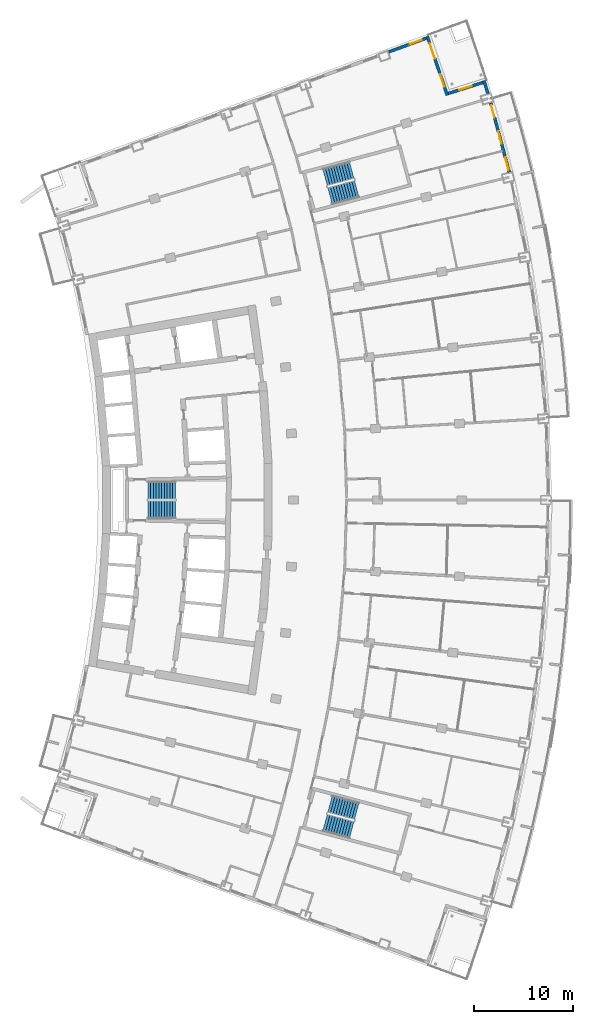
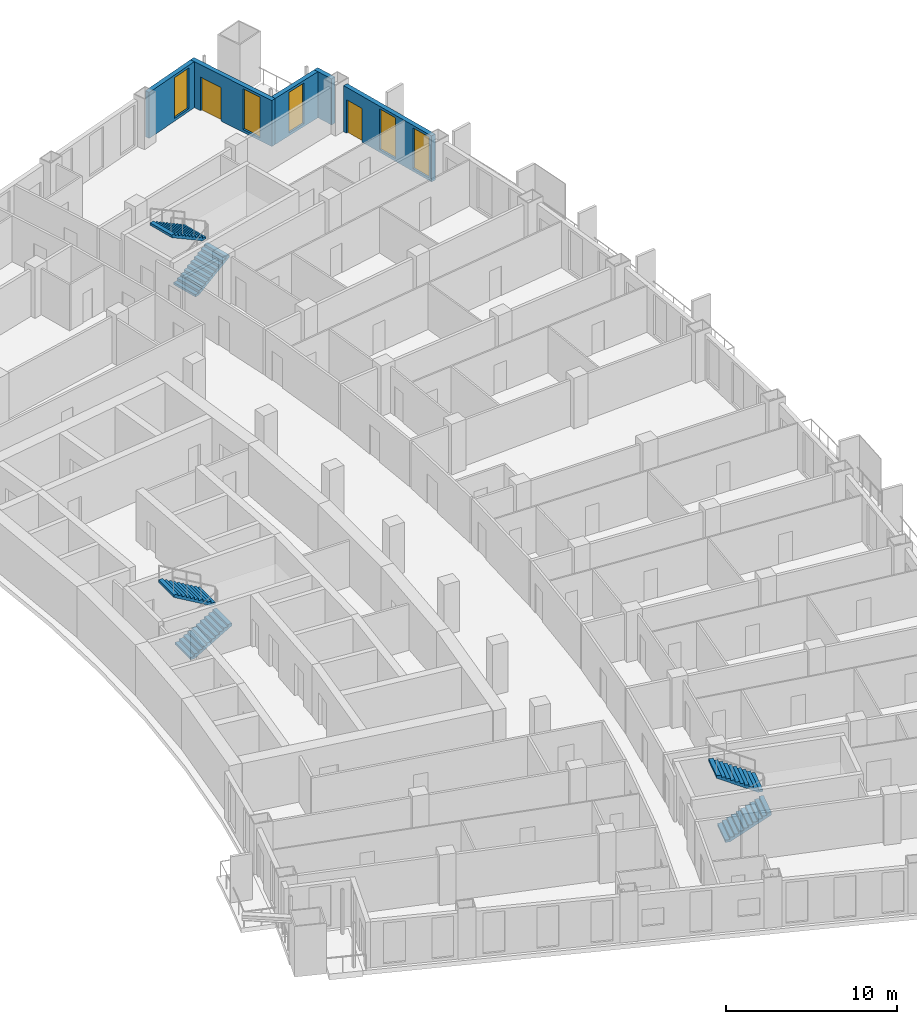
# One storey, part 21 of 24: 6 stair flights, 5 walls, 5 windows, 2 doors, 7 openings, 3 elements without a shape of their own.
"""IFC4 building model written with IfcOpenShell, lengths in metres."""

from ifc_helpers import new_model, si_unit, direction, frame, frame_2d, origin, place, context, subcontext, project, spatial, polyline, rectangle, outline, extrude, material, layer, layer_set, type_object, element, fill, aggregate, save


model = new_model("IFC4")

# Units and contexts
model_context = context("Model", 3, precision=1e-05, world=origin(), true_north=direction((0.0, 1.0)))
body_context = subcontext(model_context, "Body", "Model", "MODEL_VIEW")
ifc_project = project(units=[si_unit("LENGTHUNIT", "METRE"), si_unit("AREAUNIT", "SQUARE_METRE"), si_unit("VOLUMEUNIT", "CUBIC_METRE"), si_unit("PLANEANGLEUNIT", "RADIAN"), si_unit("MASSUNIT", "GRAM", prefix="KILO")], contexts=[model_context])

# Site, building, storey
site_placement = place(None, origin())
site = spatial("IfcSite", under=ifc_project, at=site_placement, CompositionType="ELEMENT")
building_placement = place(site_placement, origin())
building = spatial("IfcBuilding", under=site, at=building_placement, Name="Alderwake Tower", CompositionType="ELEMENT")
storey_placement = place(building_placement, frame((0.0, 0.0, 96.800048828125)))
storey = spatial("IfcBuildingStorey", under=building, at=storey_placement, Name="L23", CompositionType="ELEMENT", Elevation=96.800048828125)

# Wall, openings, door, windows
ifc_material_1 = material(Name="Precast concrete C50/60 spandrel panel", Category="concrete")
ifc_layer_1 = layer(ifc_material_1, 0.300048828125)
ifc_layer_set_1 = layer_set([ifc_layer_1], Name="External wall EW1 Precast concrete C50/60 spandrel")
wall_type_1 = type_object("IfcWallType", Name="External wall EW1 Precast concrete C50/60 spandrel", PredefinedType="SOLIDWALL", material=ifc_layer_set_1)
wall_1_placement = place(storey_placement, frame((57.681884765625, 94.234375, 0.0), z_axis=(0.0, 0.0, 1.0), x_axis=(-0.259469611771, 0.96575127262, 0.0)))
wall_1 = element("IfcWall", 1, at=wall_1_placement, inside=storey, type_object=wall_type_1, Name="External wall 21", PredefinedType="SOLIDWALL", context=body_context, shape_type="SweptSolid", body=[
    extrude(rectangle(XDim=7.263916015625, YDim=0.300048828125, at=frame_2d((3.6318359375, 0.0))), origin(), (0.0, 0.0, 1.0), 3.280029296875),
])
opening_1_placement = place(wall_1_placement, frame((0.23291015625, 0.0, 0.199951171875)))
opening_1 = element("IfcOpeningElement", 2, at=opening_1_placement, cuts=wall_1, Name="Opening W1", PredefinedType="OPENING", context=body_context, shape_type="SweptSolid", body=[
    extrude(rectangle(XDim=1.300048828125, YDim=2.89990234375, at=frame_2d((0.64990234375, 1.449951171875))), frame((0.0, 0.159912109375, 0.0), z_axis=(0.0, -1.0, 0.0), x_axis=(1.0, 0.0, 0.0)), (0.0, 0.0, 1.0), 0.320068359375),
])
opening_2_placement = place(wall_1_placement, frame((2.98193359375, 0.0, 0.199951171875)))
opening_2 = element("IfcOpeningElement", 3, at=opening_2_placement, cuts=wall_1, Name="Opening W1", PredefinedType="OPENING", context=body_context, shape_type="SweptSolid", body=[
    extrude(rectangle(XDim=1.300048828125, YDim=2.89990234375, at=frame_2d((0.64990234375, 1.449951171875))), frame((0.0, 0.159912109375, 0.0), z_axis=(0.0, -1.0, 0.0), x_axis=(1.0, 0.0, 0.0)), (0.0, 0.0, 1.0), 0.320068359375),
])
opening_3_placement = place(wall_1_placement, frame((5.73095703125, 0.0, 0.0)))
opening_3 = element("IfcOpeningElement", 4, at=opening_3_placement, cuts=wall_1, Name="Opening D11", PredefinedType="OPENING", context=body_context, shape_type="SweptSolid", body=[
    extrude(rectangle(XDim=1.300048828125, YDim=2.39990234375, at=frame_2d((0.64990234375, 1.199951171875))), frame((0.0, 0.159912109375, 0.0), z_axis=(0.0, -1.0, 0.0), x_axis=(1.0, 0.0, 0.0)), (0.0, 0.0, 1.0), 0.320068359375),
])
ifc_material_2 = material(Name="Bronze tinted glass in aluminium frame", Category="aluminium")
door_type_1 = type_object("IfcDoorType", Name="Balcony door BD sliding", OperationType="SLIDING_TO_LEFT", PredefinedType="DOOR", material=ifc_material_2)
door_1_placement = place(opening_3_placement, origin())
door_1 = element("IfcDoor", 5, at=door_1_placement, inside=storey, type_object=door_type_1, Name="Door D11", OperationType="SLIDING_TO_LEFT", OverallHeight=2.39990234375, OverallWidth=1.300048828125, PredefinedType="DOOR", context=body_context, shape_type="SweptSolid", body=[
    extrude(rectangle(XDim=1.300048828125, YDim=2.39990234375, at=frame_2d((0.64990234375, 1.199951171875))), frame((0.0, 0.02490234375, 0.0), z_axis=(0.0, -1.0, 0.0), x_axis=(1.0, 0.0, 0.0)), (0.0, 0.0, 1.0), 0.050048828125),
])
fill(opening_3, door_1)
ifc_material_3 = material(Name="Bronze tinted glass in aluminium frame", Category="aluminium")
window_type = type_object("IfcWindowType", Name="Window W1 tall fixed and vent", PartitioningType="DOUBLE_PANEL_VERTICAL", PredefinedType="WINDOW", material=ifc_material_3)
window_1_placement = place(opening_1_placement, origin())
window_1 = element("IfcWindow", 6, at=window_1_placement, inside=storey, type_object=window_type, Name="Window W1 tall fixed and vent", OverallHeight=2.89990234375, OverallWidth=1.300048828125, PartitioningType="DOUBLE_PANEL_VERTICAL", PredefinedType="WINDOW", context=body_context, shape_type="SweptSolid", body=[
    extrude(rectangle(XDim=1.300048828125, YDim=2.89990234375, at=frame_2d((0.64990234375, 1.449951171875))), frame((0.0, 0.030029296875, 0.0), z_axis=(0.0, -1.0, 0.0), x_axis=(1.0, 0.0, 0.0)), (0.0, 0.0, 1.0), 0.06005859375),
])
fill(opening_1, window_1)
window_2_placement = place(opening_2_placement, origin())
window_2 = element("IfcWindow", 7, at=window_2_placement, inside=storey, type_object=window_type, Name="Window W1 tall fixed and vent", OverallHeight=2.89990234375, OverallWidth=1.300048828125, PartitioningType="DOUBLE_PANEL_VERTICAL", PredefinedType="WINDOW", context=body_context, shape_type="SweptSolid", body=[
    extrude(rectangle(XDim=1.300048828125, YDim=2.89990234375, at=frame_2d((0.64990234375, 1.449951171875))), frame((0.0, 0.030029296875, 0.0), z_axis=(0.0, -1.0, 0.0), x_axis=(1.0, 0.0, 0.0)), (0.0, 0.0, 1.0), 0.06005859375),
])
fill(opening_2, window_2)

# Wall
wall_2_placement = place(storey_placement, frame((55.52587890625, 102.19091796875, 0.0), z_axis=(0.0, 0.0, 1.0), x_axis=(-0.294407922697, 0.955679849664, 0.0)))
element("IfcWall", 8, at=wall_2_placement, inside=storey, type_object=wall_type_1, Name="External wall 22", PredefinedType="SOLIDWALL", context=body_context, shape_type="SweptSolid", body=[
    extrude(rectangle(XDim=1.384765625, YDim=0.300048828125, at=frame_2d((0.6923828125, 0.0))), origin(), (0.0, 0.0, 1.0), 3.280029296875),
])

# Wall, opening, window
ifc_material_4 = material(Name="Bronze metal cladding on lightweight framing")
ifc_layer_2 = layer(ifc_material_4, 0.300048828125)
ifc_layer_set_2 = layer_set([ifc_layer_2], Name="External wall EW2 bronze metal cladding")
wall_type_2 = type_object("IfcWallType", Name="External wall EW2 bronze metal cladding", PredefinedType="SOLIDWALL", material=ifc_layer_set_2)
wall_3_placement = place(storey_placement, frame((55.019287109375, 103.32568359375, 0.0), z_axis=(0.0, 0.0, 1.0), x_axis=(-0.953472737628, -0.301479250697, 0.0)))
wall_3 = element("IfcWall", 9, at=wall_3_placement, inside=storey, type_object=wall_type_2, Name="External wall 23", PredefinedType="SOLIDWALL", context=body_context, shape_type="SweptSolid", body=[
    extrude(rectangle(XDim=3.6943359375, YDim=0.300048828125, at=frame_2d((1.84716796875, 0.0))), origin(), (0.0, 0.0, 1.0), 3.280029296875),
])
opening_4_placement = place(wall_3_placement, frame((1.197021484375, 0.0, 0.199951171875)))
opening_4 = element("IfcOpeningElement", 10, at=opening_4_placement, cuts=wall_3, Name="Opening W1", PredefinedType="OPENING", context=body_context, shape_type="SweptSolid", body=[
    extrude(rectangle(XDim=1.300048828125, YDim=2.89990234375, at=frame_2d((0.64990234375, 1.449951171875))), frame((0.0, 0.159912109375, 0.0), z_axis=(0.0, -1.0, 0.0), x_axis=(1.0, 0.0, 0.0)), (0.0, 0.0, 1.0), 0.320068359375),
])
window_3_placement = place(opening_4_placement, origin())
window_3 = element("IfcWindow", 11, at=window_3_placement, inside=storey, type_object=window_type, Name="Window W1 tall fixed and vent", OverallHeight=2.89990234375, OverallWidth=1.300048828125, PartitioningType="DOUBLE_PANEL_VERTICAL", PredefinedType="WINDOW", context=body_context, shape_type="SweptSolid", body=[
    extrude(rectangle(XDim=1.300048828125, YDim=2.89990234375, at=frame_2d((0.64990234375, 1.449951171875))), frame((0.0, 0.030029296875, 0.0), z_axis=(0.0, -1.0, 0.0), x_axis=(1.0, 0.0, 0.0)), (0.0, 0.0, 1.0), 0.06005859375),
])
fill(opening_4, window_3)

# Wall, openings, door, window
wall_4_placement = place(storey_placement, frame((51.402099609375, 102.024658203125, 0.0), z_axis=(0.0, 0.0, 1.0), x_axis=(-0.320927729287, 0.947103686285, 0.0)))
wall_4 = element("IfcWall", 12, at=wall_4_placement, inside=storey, type_object=wall_type_2, Name="External wall 24", PredefinedType="SOLIDWALL", context=body_context, shape_type="SweptSolid", body=[
    extrude(rectangle(XDim=6.32177734375, YDim=0.300048828125, at=frame_2d((3.160888671875, 0.0))), origin(), (0.0, 0.0, 1.0), 3.280029296875),
])
opening_5_placement = place(wall_4_placement, frame((0.930419921875, 0.0, 0.199951171875)))
opening_5 = element("IfcOpeningElement", 13, at=opening_5_placement, cuts=wall_4, Name="Opening W1", PredefinedType="OPENING", context=body_context, shape_type="SweptSolid", body=[
    extrude(rectangle(XDim=1.300048828125, YDim=2.89990234375, at=frame_2d((0.64990234375, 1.449951171875))), frame((0.0, 0.159912109375, 0.0), z_axis=(0.0, -1.0, 0.0), x_axis=(1.0, 0.0, 0.0)), (0.0, 0.0, 1.0), 0.320068359375),
])
opening_6_placement = place(wall_4_placement, frame((3.94140625, 0.0, 0.0)))
opening_6 = element("IfcOpeningElement", 14, at=opening_6_placement, cuts=wall_4, Name="Opening D12", PredefinedType="OPENING", context=body_context, shape_type="SweptSolid", body=[
    extrude(rectangle(XDim=1.60009765625, YDim=2.39990234375, at=frame_2d((0.800048828125, 1.199951171875))), frame((0.0, 0.159912109375, 0.0), z_axis=(0.0, -1.0, 0.0), x_axis=(1.0, 0.0, 0.0)), (0.0, 0.0, 1.0), 0.320068359375),
])
ifc_material_5 = material(Name="Bronze tinted glass in aluminium frame", Category="aluminium")
door_type_2 = type_object("IfcDoorType", Name="Terrace door TD sliding", OperationType="SLIDING_TO_LEFT", PredefinedType="DOOR", material=ifc_material_5)
door_2_placement = place(opening_6_placement, origin())
door_2 = element("IfcDoor", 15, at=door_2_placement, inside=storey, type_object=door_type_2, Name="Door D12", OperationType="SLIDING_TO_LEFT", OverallHeight=2.39990234375, OverallWidth=1.60009765625, PredefinedType="DOOR", context=body_context, shape_type="SweptSolid", body=[
    extrude(rectangle(XDim=1.60009765625, YDim=2.39990234375, at=frame_2d((0.800048828125, 1.199951171875))), frame((0.0, 0.02490234375, 0.0), z_axis=(0.0, -1.0, 0.0), x_axis=(1.0, 0.0, 0.0)), (0.0, 0.0, 1.0), 0.050048828125),
])
fill(opening_6, door_2)
window_4_placement = place(opening_5_placement, origin())
window_4 = element("IfcWindow", 16, at=window_4_placement, inside=storey, type_object=window_type, Name="Window W1 tall fixed and vent", OverallHeight=2.89990234375, OverallWidth=1.300048828125, PartitioningType="DOUBLE_PANEL_VERTICAL", PredefinedType="WINDOW", context=body_context, shape_type="SweptSolid", body=[
    extrude(rectangle(XDim=1.300048828125, YDim=2.89990234375, at=frame_2d((0.64990234375, 1.449951171875))), frame((0.0, 0.030029296875, 0.0), z_axis=(0.0, -1.0, 0.0), x_axis=(1.0, 0.0, 0.0)), (0.0, 0.0, 1.0), 0.06005859375),
])
fill(opening_5, window_4)

# Wall, opening, window
wall_5_placement = place(storey_placement, frame((49.280517578125, 107.818603515625, 0.0), z_axis=(0.0, 0.0, 1.0), x_axis=(-0.93936370706, -0.342922477913, 0.0)))
wall_5 = element("IfcWall", 17, at=wall_5_placement, inside=storey, type_object=wall_type_2, Name="External wall 25", PredefinedType="SOLIDWALL", context=body_context, shape_type="SweptSolid", body=[
    extrude(rectangle(XDim=4.104248046875, YDim=0.300048828125, at=frame_2d((2.05224609375, 0.0))), origin(), (0.0, 0.0, 1.0), 3.280029296875),
])
opening_7_placement = place(wall_5_placement, frame((0.5078125, 0.0, 0.199951171875)))
opening_7 = element("IfcOpeningElement", 18, at=opening_7_placement, cuts=wall_5, Name="Opening W1", PredefinedType="OPENING", context=body_context, shape_type="SweptSolid", body=[
    extrude(rectangle(XDim=1.300048828125, YDim=2.89990234375, at=frame_2d((0.64990234375, 1.449951171875))), frame((0.0, 0.159912109375, 0.0), z_axis=(0.0, -1.0, 0.0), x_axis=(1.0, 0.0, 0.0)), (0.0, 0.0, 1.0), 0.320068359375),
])
window_5_placement = place(opening_7_placement, origin())
window_5 = element("IfcWindow", 19, at=window_5_placement, inside=storey, type_object=window_type, Name="Window W1 tall fixed and vent", OverallHeight=2.89990234375, OverallWidth=1.300048828125, PartitioningType="DOUBLE_PANEL_VERTICAL", PredefinedType="WINDOW", context=body_context, shape_type="SweptSolid", body=[
    extrude(rectangle(XDim=1.300048828125, YDim=2.89990234375, at=frame_2d((0.64990234375, 1.449951171875))), frame((0.0, 0.030029296875, 0.0), z_axis=(0.0, -1.0, 0.0), x_axis=(1.0, 0.0, 0.0)), (0.0, 0.0, 1.0), 0.06005859375),
])
fill(opening_7, window_5)

# Stair, stair flights
ifc_material_6 = material(Name="Concrete C40/50", Category="concrete")
stair_type = type_object("IfcStairType", Name="Core exit stair", PredefinedType="HALF_TURN_STAIR", material=ifc_material_6)
stair_1_placement = place(storey_placement, origin())
stair_1 = element("IfcStair", 20, at=stair_1_placement, inside=storey, type_object=stair_type, Name="L23 Exit Stair B", PredefinedType="HALF_TURN_STAIR")
ifc_material_7 = material(Name="Concrete C40/50", Category="concrete")
ifc_layer_3 = layer(ifc_material_7, 0.14990234375)
ifc_layer_set_3 = layer_set([ifc_layer_3], Name="Core stair flight")
stair_flight_type = type_object("IfcStairFlightType", Name="Core stair flight", PredefinedType="STRAIGHT", material=ifc_layer_set_3)
stair_flight_1_placement = place(storey_placement, frame((21.0400390625, 60.02490234375, 0.0), z_axis=(0.0, 0.0, 1.0), x_axis=(1.0, 0.0, 0.0)))
stair_flight_1 = element("IfcStairFlight", 21, at=stair_flight_1_placement, type_object=stair_flight_type, Name="ST-B flight 1", NumberOfRisers=11, NumberOfTreads=10, PredefinedType="STRAIGHT", RiserHeight=0.163636364, TreadLength=0.28, context=body_context, shape_type="SweptSolid", body=[
    extrude(outline(polyline([(0.0, 0.0), (0.0, 0.16357421875), (0.280029296875, 0.16357421875), (0.280029296875, 0.327392578125), (0.56005859375, 0.327392578125), (0.56005859375, 0.490966796875), (0.840087890625, 0.490966796875), (0.840087890625, 0.654541015625), (1.1201171875, 0.654541015625), (1.1201171875, 0.818115234375), (1.39990234375, 0.818115234375), (1.39990234375, 0.98193359375), (1.679931640625, 0.98193359375), (1.679931640625, 1.1455078125), (1.9599609375, 1.1455078125), (1.9599609375, 1.30908203125), (2.239990234375, 1.30908203125), (2.239990234375, 1.47265625), (2.52001953125, 1.47265625), (2.52001953125, 1.636474609375), (2.800048828125, 1.636474609375), (2.800048828125, 1.800048828125), (2.800048828125, 1.462646484375), (0.297119140625, 0.0), (0.0, 0.0)])), frame((0.0, 0.89990234375, 0.0), z_axis=(0.0, -1.0, 0.0), x_axis=(1.0, 0.0, 0.0)), (0.0, 0.0, 1.0), 1.800048828125),
])
stair_flight_2_placement = place(storey_placement, frame((23.840087890625, 61.97509765625, 1.800048828125), z_axis=(0.0, 0.0, 1.0), x_axis=(-1.0, 0.0, 0.0)))
stair_flight_2 = element("IfcStairFlight", 22, at=stair_flight_2_placement, type_object=stair_flight_type, Name="ST-B flight 2", NumberOfRisers=11, NumberOfTreads=10, PredefinedType="STRAIGHT", RiserHeight=0.163636364, TreadLength=0.28, context=body_context, shape_type="SweptSolid", body=[
    extrude(outline(polyline([(0.0, 0.0), (0.0, 0.16357421875), (0.280029296875, 0.16357421875), (0.280029296875, 0.327392578125), (0.56005859375, 0.327392578125), (0.56005859375, 0.490966796875), (0.840087890625, 0.490966796875), (0.840087890625, 0.654541015625), (1.1201171875, 0.654541015625), (1.1201171875, 0.818115234375), (1.39990234375, 0.818115234375), (1.39990234375, 0.98193359375), (1.679931640625, 0.98193359375), (1.679931640625, 1.1455078125), (1.9599609375, 1.1455078125), (1.9599609375, 1.30908203125), (2.239990234375, 1.30908203125), (2.239990234375, 1.47265625), (2.52001953125, 1.47265625), (2.52001953125, 1.636474609375), (2.800048828125, 1.636474609375), (2.800048828125, 1.800048828125), (2.800048828125, 1.462646484375), (0.297119140625, 0.0), (0.0, 0.0)])), frame((0.0, 0.89990234375, 0.0), z_axis=(0.0, -1.0, 0.0), x_axis=(1.0, 0.0, 0.0)), (0.0, 0.0, 1.0), 1.800048828125),
])
aggregate(stair_1, [stair_flight_1, stair_flight_2])

stair_2_placement = place(storey_placement, origin())
stair_2 = element("IfcStair", 23, at=stair_2_placement, inside=storey, type_object=stair_type, Name="L23 Exit Stair A", PredefinedType="HALF_TURN_STAIR")
stair_flight_3_placement = place(storey_placement, frame((39.512939453125, 91.823974609375, 0.0), z_axis=(0.0, 0.0, 1.0), x_axis=(0.966309627437, 0.257382407951, 0.0)))
stair_flight_3 = element("IfcStairFlight", 24, at=stair_flight_3_placement, type_object=stair_flight_type, Name="ST-A flight 1", NumberOfRisers=11, NumberOfTreads=10, PredefinedType="STRAIGHT", RiserHeight=0.163636364, TreadLength=0.28, context=body_context, shape_type="SweptSolid", body=[
    extrude(outline(polyline([(0.0, 0.0), (0.0, 0.16357421875), (0.280029296875, 0.16357421875), (0.280029296875, 0.327392578125), (0.56005859375, 0.327392578125), (0.56005859375, 0.490966796875), (0.840087890625, 0.490966796875), (0.840087890625, 0.654541015625), (1.1201171875, 0.654541015625), (1.1201171875, 0.818115234375), (1.39990234375, 0.818115234375), (1.39990234375, 0.98193359375), (1.679931640625, 0.98193359375), (1.679931640625, 1.1455078125), (1.9599609375, 1.1455078125), (1.9599609375, 1.30908203125), (2.239990234375, 1.30908203125), (2.239990234375, 1.47265625), (2.52001953125, 1.47265625), (2.52001953125, 1.636474609375), (2.800048828125, 1.636474609375), (2.800048828125, 1.800048828125), (2.800048828125, 1.462646484375), (0.297119140625, 0.0), (0.0, 0.0)])), frame((0.0, 0.89990234375, 0.0), z_axis=(0.0, -1.0, 0.0), x_axis=(1.0, 0.0, 0.0)), (0.0, 0.0, 1.0), 1.800048828125),
])
stair_flight_4_placement = place(storey_placement, frame((41.716796875, 94.428955078125, 1.800048828125), z_axis=(0.0, 0.0, 1.0), x_axis=(-0.966309627437, -0.257382407951, 0.0)))
stair_flight_4 = element("IfcStairFlight", 25, at=stair_flight_4_placement, type_object=stair_flight_type, Name="ST-A flight 2", NumberOfRisers=11, NumberOfTreads=10, PredefinedType="STRAIGHT", RiserHeight=0.163636364, TreadLength=0.28, context=body_context, shape_type="SweptSolid", body=[
    extrude(outline(polyline([(0.0, 0.0), (0.0, 0.16357421875), (0.280029296875, 0.16357421875), (0.280029296875, 0.327392578125), (0.56005859375, 0.327392578125), (0.56005859375, 0.490966796875), (0.840087890625, 0.490966796875), (0.840087890625, 0.654541015625), (1.1201171875, 0.654541015625), (1.1201171875, 0.818115234375), (1.39990234375, 0.818115234375), (1.39990234375, 0.98193359375), (1.679931640625, 0.98193359375), (1.679931640625, 1.1455078125), (1.9599609375, 1.1455078125), (1.9599609375, 1.30908203125), (2.239990234375, 1.30908203125), (2.239990234375, 1.47265625), (2.52001953125, 1.47265625), (2.52001953125, 1.636474609375), (2.800048828125, 1.636474609375), (2.800048828125, 1.800048828125), (2.800048828125, 1.462646484375), (0.297119140625, 0.0), (0.0, 0.0)])), frame((0.0, 0.89990234375, 0.0), z_axis=(0.0, -1.0, 0.0), x_axis=(1.0, 0.0, 0.0)), (0.0, 0.0, 1.0), 1.800048828125),
])
aggregate(stair_2, [stair_flight_3, stair_flight_4])

stair_3_placement = place(storey_placement, origin())
stair_3 = element("IfcStair", 26, at=stair_3_placement, inside=storey, type_object=stair_type, Name="L23 Exit Stair C", PredefinedType="HALF_TURN_STAIR")
stair_flight_5_placement = place(storey_placement, frame((39.010986328125, 28.291748046875, 0.0), z_axis=(0.0, 0.0, 1.0), x_axis=(0.966309627437, -0.257382407951, 0.0)))
stair_flight_5 = element("IfcStairFlight", 27, at=stair_flight_5_placement, type_object=stair_flight_type, Name="ST-C flight 1", NumberOfRisers=11, NumberOfTreads=10, PredefinedType="STRAIGHT", RiserHeight=0.163636364, TreadLength=0.28, context=body_context, shape_type="SweptSolid", body=[
    extrude(outline(polyline([(0.0, 0.0), (0.0, 0.16357421875), (0.280029296875, 0.16357421875), (0.280029296875, 0.327392578125), (0.56005859375, 0.327392578125), (0.56005859375, 0.490966796875), (0.840087890625, 0.490966796875), (0.840087890625, 0.654541015625), (1.1201171875, 0.654541015625), (1.1201171875, 0.818115234375), (1.39990234375, 0.818115234375), (1.39990234375, 0.98193359375), (1.679931640625, 0.98193359375), (1.679931640625, 1.1455078125), (1.9599609375, 1.1455078125), (1.9599609375, 1.30908203125), (2.239990234375, 1.30908203125), (2.239990234375, 1.47265625), (2.52001953125, 1.47265625), (2.52001953125, 1.636474609375), (2.800048828125, 1.636474609375), (2.800048828125, 1.800048828125), (2.800048828125, 1.462646484375), (0.297119140625, 0.0), (0.0, 0.0)])), frame((0.0, 0.89990234375, 0.0), z_axis=(0.0, -1.0, 0.0), x_axis=(1.0, 0.0, 0.0)), (0.0, 0.0, 1.0), 1.800048828125),
])
stair_flight_6_placement = place(storey_placement, frame((42.218505859375, 29.455322265625, 1.800048828125), z_axis=(0.0, 0.0, 1.0), x_axis=(-0.966309627437, 0.257382407951, 0.0)))
stair_flight_6 = element("IfcStairFlight", 28, at=stair_flight_6_placement, type_object=stair_flight_type, Name="ST-C flight 2", NumberOfRisers=11, NumberOfTreads=10, PredefinedType="STRAIGHT", RiserHeight=0.163636364, TreadLength=0.28, context=body_context, shape_type="SweptSolid", body=[
    extrude(outline(polyline([(0.0, 0.0), (0.0, 0.16357421875), (0.280029296875, 0.16357421875), (0.280029296875, 0.327392578125), (0.56005859375, 0.327392578125), (0.56005859375, 0.490966796875), (0.840087890625, 0.490966796875), (0.840087890625, 0.654541015625), (1.1201171875, 0.654541015625), (1.1201171875, 0.818115234375), (1.39990234375, 0.818115234375), (1.39990234375, 0.98193359375), (1.679931640625, 0.98193359375), (1.679931640625, 1.1455078125), (1.9599609375, 1.1455078125), (1.9599609375, 1.30908203125), (2.239990234375, 1.30908203125), (2.239990234375, 1.47265625), (2.52001953125, 1.47265625), (2.52001953125, 1.636474609375), (2.800048828125, 1.636474609375), (2.800048828125, 1.800048828125), (2.800048828125, 1.462646484375), (0.297119140625, 0.0), (0.0, 0.0)])), frame((0.0, 0.89990234375, 0.0), z_axis=(0.0, -1.0, 0.0), x_axis=(1.0, 0.0, 0.0)), (0.0, 0.0, 1.0), 1.800048828125),
])
aggregate(stair_3, [stair_flight_5, stair_flight_6])

save(model, "model.ifc")
